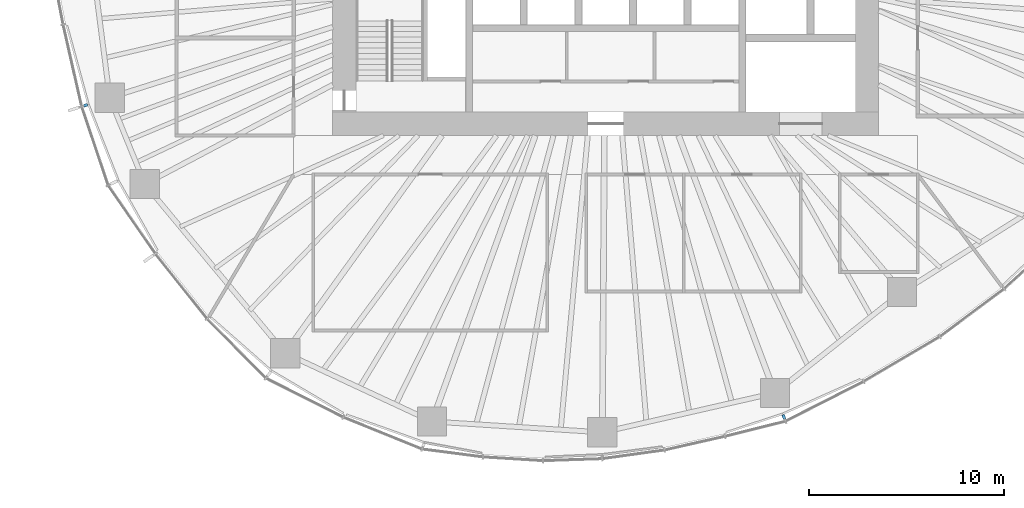
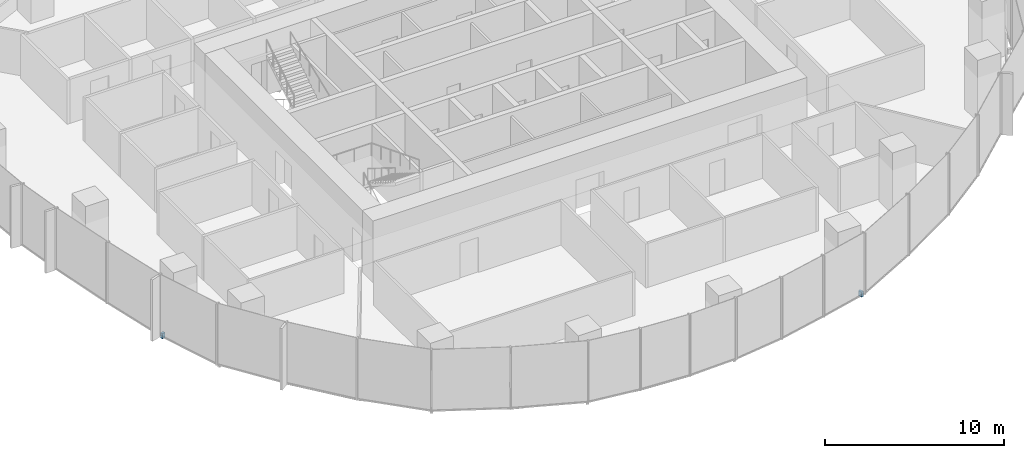
# One storey, part 13 of 18: 2 discrete accessories.
"""IFC4 building model written with IfcOpenShell, lengths in metres."""

from ifc_helpers import new_model, si_unit, direction, frame, origin, origin_2d, place, context, subcontext, project, spatial, rectangle, extrude, material, type_object, element, save


model = new_model("IFC4")

# Units and contexts
model_context = context("Model", 3, precision=1e-05, world=origin(), true_north=direction((0.0, 1.0)))
body_context = subcontext(model_context, "Body", "Model", "MODEL_VIEW")
ifc_project = project(units=[si_unit("LENGTHUNIT", "METRE"), si_unit("AREAUNIT", "SQUARE_METRE"), si_unit("VOLUMEUNIT", "CUBIC_METRE"), si_unit("PLANEANGLEUNIT", "RADIAN"), si_unit("MASSUNIT", "GRAM", prefix="KILO")], contexts=[model_context])

# Site, building, storey
site_placement = place(None, origin())
site = spatial("IfcSite", under=ifc_project, at=site_placement, CompositionType="ELEMENT")
building_placement = place(site_placement, origin())
building = spatial("IfcBuilding", under=site, at=building_placement, Name="Ghaith Harvest Tower", CompositionType="ELEMENT")
storey_placement = place(building_placement, frame((0.0, 0.0, 134.39990234375)))
storey = spatial("IfcBuildingStorey", under=building, at=storey_placement, Name="L28", CompositionType="ELEMENT", Elevation=134.39990234375)

# Discrete accessories
ifc_material_1 = material(Name="Stainless steel grade 1.4401", Category="steel")
discrete_accessory_type_1 = type_object("IfcDiscreteAccessoryType", Name="CURTAIN WALL BRACKET 205", PredefinedType="BRACKET", material=ifc_material_1)
discrete_accessory_1_placement = place(storey_placement, frame((-26.673095703125, -8.453125, -0.25), z_axis=(0.0, 0.0, 1.0), x_axis=(-0.953273219416, -0.302109531701, 0.0)))
element("IfcDiscreteAccessory", 1, at=discrete_accessory_1_placement, inside=storey, type_object=discrete_accessory_type_1, Name="CW-L bracket 1 bay 12 L28", PredefinedType="BRACKET", context=body_context, shape_type="SweptSolid", body=[
    extrude(rectangle(XDim=0.205078125, YDim=0.14990234375, at=origin_2d()), origin(), (0.0, 0.0, 1.0), 0.35009765625),
])
ifc_material_2 = material(Name="Stainless steel grade 1.4401", Category="steel")
discrete_accessory_type_2 = type_object("IfcDiscreteAccessoryType", Name="CURTAIN WALL BRACKET 245", PredefinedType="BRACKET", material=ifc_material_2)
discrete_accessory_2_placement = place(storey_placement, frame((9.135498046875, -24.436767578125, -0.25), z_axis=(0.0, 0.0, 1.0), x_axis=(0.35016769691, -0.93668702566, 0.0)))
element("IfcDiscreteAccessory", 2, at=discrete_accessory_2_placement, inside=storey, type_object=discrete_accessory_type_2, Name="CW-L bracket 1 bay 17 L28", PredefinedType="BRACKET", context=body_context, shape_type="SweptSolid", body=[
    extrude(rectangle(XDim=0.2451171875, YDim=0.14990234375, at=origin_2d()), origin(), (0.0, 0.0, 1.0), 0.35009765625),
])

save(model, "model.ifc")
